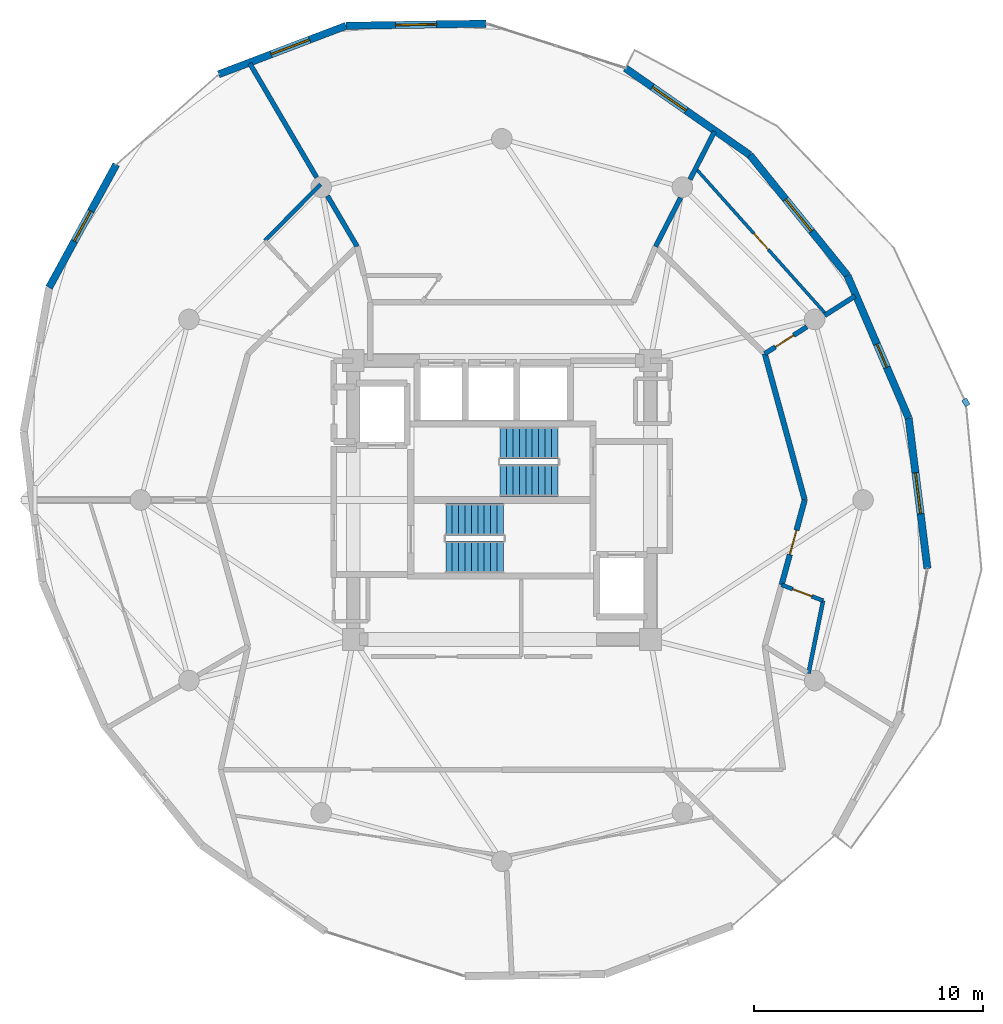
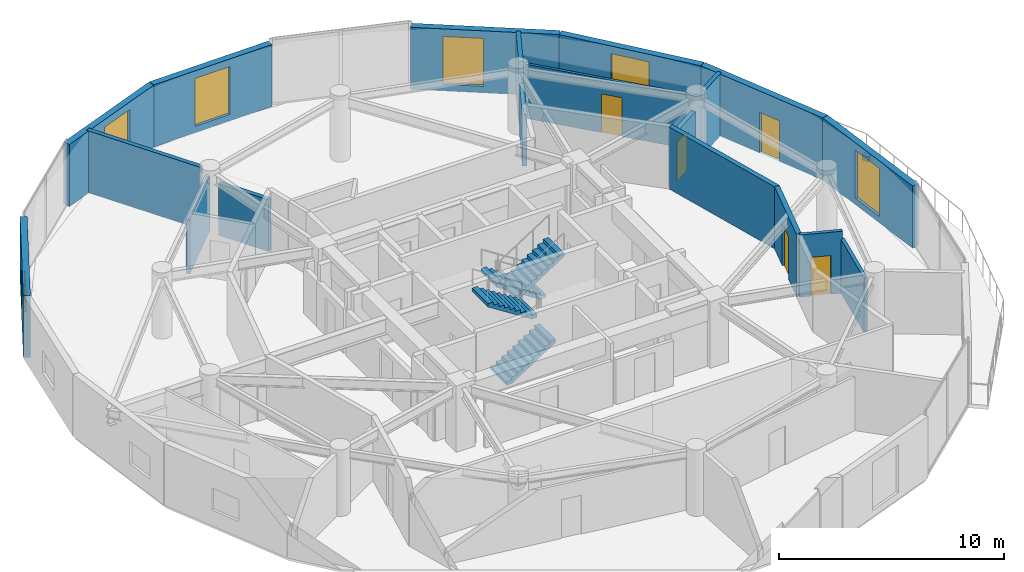
# One storey, part 15 of 18: 19 walls, 6 windows, 5 doors, 4 stair flights, 1 discrete accessory, 11 openings, 2 elements without a shape of their own.
"""IFC4 building model written with IfcOpenShell, lengths in metres."""

from ifc_helpers import new_model, si_unit, direction, frame, frame_2d, origin, origin_2d, place, context, subcontext, project, spatial, polyline, rectangle, outline, extrude, material, layer, layer_set, type_object, element, fill, aggregate, save


model = new_model("IFC4")

# Units and contexts
model_context = context("Model", 3, precision=1e-05, world=origin(), true_north=direction((0.0, 1.0)))
body_context = subcontext(model_context, "Body", "Model", "MODEL_VIEW")
ifc_project = project(units=[si_unit("LENGTHUNIT", "METRE"), si_unit("AREAUNIT", "SQUARE_METRE"), si_unit("VOLUMEUNIT", "CUBIC_METRE"), si_unit("PLANEANGLEUNIT", "RADIAN"), si_unit("MASSUNIT", "GRAM", prefix="KILO")], contexts=[model_context])

# Site, building, storey
site_placement = place(None, origin())
site = spatial("IfcSite", under=ifc_project, at=site_placement, CompositionType="ELEMENT")
building_placement = place(site_placement, origin())
building = spatial("IfcBuilding", under=site, at=building_placement, Name="Solvirekh Grand Hotel", CompositionType="ELEMENT")
storey_placement = place(building_placement, frame((0.0, 0.0, 187.60009765625)))
storey = spatial("IfcBuildingStorey", under=building, at=storey_placement, Name="L48", CompositionType="ELEMENT", Elevation=187.60009765625)

# Wall, opening, window
ifc_material_1 = material(Name="Precast concrete C45/55", Category="concrete")
ifc_layer_1 = layer(ifc_material_1, 0.320068359375)
ifc_layer_set_1 = layer_set([ifc_layer_1], Name="Precast concrete C45/55")
wall_type_1 = type_object("IfcWallType", Name="ExtLobbyWall_RC320", PredefinedType="SOLIDWALL", material=ifc_layer_set_1)
wall_1_placement = place(storey_placement, frame((17.79296875, 3.5849609375, 0.0), z_axis=(0.0, 0.0, 1.0), x_axis=(0.12416151274, -0.992262021219, 0.0)))
wall_1 = element("IfcWall", 1, at=wall_1_placement, inside=storey, type_object=wall_type_1, Name="L48 exterior structural wall chord 4", PredefinedType="SOLIDWALL", context=body_context, shape_type="SweptSolid", body=[
    extrude(rectangle(XDim=6.63623046875, YDim=0.320068359375, at=frame_2d((3.318115234375, 0.0))), origin(), (0.0, 0.0, 1.0), 3.35986328125),
])
opening_1_placement = place(wall_1_placement, frame((2.41796875, 0.0, 0.35009765625)))
opening_1 = element("IfcOpeningElement", 2, at=opening_1_placement, cuts=wall_1, Name="Opening W02", PredefinedType="OPENING", context=body_context, shape_type="SweptSolid", body=[
    extrude(rectangle(XDim=1.800048828125, YDim=2.60009765625, at=frame_2d((0.89990234375, 1.300048828125))), frame((0.0, 0.169921875, 0.0), z_axis=(0.0, -1.0, 0.0), x_axis=(1.0, 0.0, 0.0)), (0.0, 0.0, 1.0), 0.340087890625),
])
ifc_material_2 = material(Name="Low-E Tinted Bronze Laminated Glass", Category="aluminium")
window_type_1 = type_object("IfcWindowType", Name="Win_LobbyExt_1800X2600", PartitioningType="SINGLE_PANEL", PredefinedType="WINDOW", material=ifc_material_2)
window_1_placement = place(opening_1_placement, origin())
window_1 = element("IfcWindow", 3, at=window_1_placement, inside=storey, type_object=window_type_1, Name="L48 panoramic bronze-framed window 4", OverallHeight=2.60009765625, OverallWidth=1.800048828125, PartitioningType="SINGLE_PANEL", PredefinedType="WINDOW", context=body_context, shape_type="SweptSolid", body=[
    extrude(rectangle(XDim=1.800048828125, YDim=2.60009765625, at=frame_2d((0.89990234375, 1.300048828125))), frame((0.0, 0.030029296875, 0.0), z_axis=(0.0, -1.0, 0.0), x_axis=(1.0, 0.0, 0.0)), (0.0, 0.0, 1.0), 0.06005859375),
])
fill(opening_1, window_1)

# Wall, opening, door
wall_2_placement = place(storey_placement, frame((15.115966796875, 9.820068359375, 0.0), z_axis=(0.0, 0.0, 1.0), x_axis=(0.394518464568, -0.91888801337, 0.0)))
wall_2 = element("IfcWall", 4, at=wall_2_placement, inside=storey, type_object=wall_type_1, Name="L48 exterior structural wall chord 5", PredefinedType="SOLIDWALL", context=body_context, shape_type="SweptSolid", body=[
    extrude(rectangle(XDim=6.785400390625, YDim=0.320068359375, at=frame_2d((3.392578125, 0.0))), origin(), (0.0, 0.0, 1.0), 3.35986328125),
])
opening_2_placement = place(wall_2_placement, frame((3.27197265625, 0.0, 0.0)))
opening_2 = element("IfcOpeningElement", 5, at=opening_2_placement, cuts=wall_2, Name="Opening D03", PredefinedType="OPENING", context=body_context, shape_type="SweptSolid", body=[
    extrude(rectangle(XDim=1.10009765625, YDim=2.199951171875, at=frame_2d((0.550048828125, 1.10009765625))), frame((0.0, 0.169921875, 0.0), z_axis=(0.0, -1.0, 0.0), x_axis=(1.0, 0.0, 0.0)), (0.0, 0.0, 1.0), 0.340087890625),
])
ifc_material_3 = material(Name="Anodized Bronze Aluminium 6063-T6", Category="aluminium")
door_type_1 = type_object("IfcDoorType", Name="Door_ExtBalcony_1100X2200", OperationType="NOTDEFINED", PredefinedType="DOOR", material=ifc_material_3)
door_1_placement = place(opening_2_placement, origin())
door_1 = element("IfcDoor", 6, at=door_1_placement, inside=storey, type_object=door_type_1, Name="L48 Crescent balcony glazed door (5)", OperationType="SINGLE_SWING_RIGHT", OverallHeight=2.199951171875, OverallWidth=1.10009765625, PredefinedType="DOOR", context=body_context, shape_type="SweptSolid", body=[
    extrude(rectangle(XDim=1.10009765625, YDim=2.199951171875, at=frame_2d((0.550048828125, 1.10009765625))), frame((0.0, 0.02490234375, 0.0), z_axis=(0.0, -1.0, 0.0), x_axis=(1.0, 0.0, 0.0)), (0.0, 0.0, 1.0), 0.050048828125),
])
fill(opening_2, door_1)

# Wall, opening, window
wall_3_placement = place(storey_placement, frame((10.845947265625, 15.093017578125, 0.0), z_axis=(0.0, 0.0, 1.0), x_axis=(0.629326572603, -0.777140955693, 0.0)))
wall_3 = element("IfcWall", 7, at=wall_3_placement, inside=storey, type_object=wall_type_1, Name="L48 exterior structural wall chord 6", PredefinedType="SOLIDWALL", context=body_context, shape_type="SweptSolid", body=[
    extrude(rectangle(XDim=6.78515625, YDim=0.320068359375, at=frame_2d((3.392578125, 0.0))), origin(), (0.0, 0.0, 1.0), 3.35986328125),
])
opening_3_placement = place(wall_3_placement, frame((2.492919921875, 0.0, 0.35009765625)))
opening_3 = element("IfcOpeningElement", 8, at=opening_3_placement, cuts=wall_3, Name="Opening W02", PredefinedType="OPENING", context=body_context, shape_type="SweptSolid", body=[
    extrude(rectangle(XDim=1.800048828125, YDim=2.60009765625, at=frame_2d((0.89990234375, 1.300048828125))), frame((0.0, 0.169921875, 0.0), z_axis=(0.0, -1.0, 0.0), x_axis=(1.0, 0.0, 0.0)), (0.0, 0.0, 1.0), 0.340087890625),
])
window_2_placement = place(opening_3_placement, origin())
window_2 = element("IfcWindow", 9, at=window_2_placement, inside=storey, type_object=window_type_1, Name="L48 panoramic bronze-framed window 6", OverallHeight=2.60009765625, OverallWidth=1.800048828125, PartitioningType="SINGLE_PANEL", PredefinedType="WINDOW", context=body_context, shape_type="SweptSolid", body=[
    extrude(rectangle(XDim=1.800048828125, YDim=2.60009765625, at=frame_2d((0.89990234375, 1.300048828125))), frame((0.0, 0.030029296875, 0.0), z_axis=(0.0, -1.0, 0.0), x_axis=(1.0, 0.0, 0.0)), (0.0, 0.0, 1.0), 0.06005859375),
])
fill(opening_3, window_2)

wall_4_placement = place(storey_placement, frame((5.402099609375, 18.888916015625, 0.0), z_axis=(0.0, 0.0, 1.0), x_axis=(0.820277874486, -0.571965216275, 0.0)))
wall_4 = element("IfcWall", 10, at=wall_4_placement, inside=storey, type_object=wall_type_1, Name="L48 exterior structural wall chord 7", PredefinedType="SOLIDWALL", context=body_context, shape_type="SweptSolid", body=[
    extrude(rectangle(XDim=6.636474609375, YDim=0.320068359375, at=frame_2d((3.318359375, 0.0))), origin(), (0.0, 0.0, 1.0), 3.35986328125),
])
opening_4_placement = place(wall_4_placement, frame((1.444091796875, 0.0, 0.35009765625)))
opening_4 = element("IfcOpeningElement", 11, at=opening_4_placement, cuts=wall_4, Name="Opening W02", PredefinedType="OPENING", context=body_context, shape_type="SweptSolid", body=[
    extrude(rectangle(XDim=1.800048828125, YDim=2.60009765625, at=frame_2d((0.89990234375, 1.300048828125))), frame((0.0, 0.169921875, 0.0), z_axis=(0.0, -1.0, 0.0), x_axis=(1.0, 0.0, 0.0)), (0.0, 0.0, 1.0), 0.340087890625),
])
window_3_placement = place(opening_4_placement, origin())
window_3 = element("IfcWindow", 12, at=window_3_placement, inside=storey, type_object=window_type_1, Name="L48 panoramic bronze-framed window 7", OverallHeight=2.60009765625, OverallWidth=1.800048828125, PartitioningType="SINGLE_PANEL", PredefinedType="WINDOW", context=body_context, shape_type="SweptSolid", body=[
    extrude(rectangle(XDim=1.800048828125, YDim=2.60009765625, at=frame_2d((0.89990234375, 1.300048828125))), frame((0.0, 0.030029296875, 0.0), z_axis=(0.0, -1.0, 0.0), x_axis=(1.0, 0.0, 0.0)), (0.0, 0.0, 1.0), 0.06005859375),
])
fill(opening_4, window_3)

wall_5_placement = place(storey_placement, frame((-6.81494140625, 20.742919921875, 0.0), z_axis=(0.0, 0.0, 1.0), x_axis=(0.99988492463, 0.015170283382, 0.0)))
wall_5 = element("IfcWall", 13, at=wall_5_placement, inside=storey, type_object=wall_type_1, Name="L48 exterior structural wall chord 9", PredefinedType="SOLIDWALL", context=body_context, shape_type="SweptSolid", body=[
    extrude(rectangle(XDim=6.131591796875, YDim=0.320068359375, at=frame_2d((3.06591796875, 0.0))), origin(), (0.0, 0.0, 1.0), 3.35986328125),
])
opening_5_placement = place(wall_5_placement, frame((2.166015625, 0.0, 0.35009765625)))
opening_5 = element("IfcOpeningElement", 14, at=opening_5_placement, cuts=wall_5, Name="Opening W02", PredefinedType="OPENING", context=body_context, shape_type="SweptSolid", body=[
    extrude(rectangle(XDim=1.800048828125, YDim=2.60009765625, at=frame_2d((0.89990234375, 1.300048828125))), frame((0.0, 0.169921875, 0.0), z_axis=(0.0, -1.0, 0.0), x_axis=(1.0, 0.0, 0.0)), (0.0, 0.0, 1.0), 0.340087890625),
])
window_4_placement = place(opening_5_placement, origin())
window_4 = element("IfcWindow", 15, at=window_4_placement, inside=storey, type_object=window_type_1, Name="L48 panoramic bronze-framed window 9", OverallHeight=2.60009765625, OverallWidth=1.800048828125, PartitioningType="SINGLE_PANEL", PredefinedType="WINDOW", context=body_context, shape_type="SweptSolid", body=[
    extrude(rectangle(XDim=1.800048828125, YDim=2.60009765625, at=frame_2d((0.89990234375, 1.300048828125))), frame((0.0, 0.030029296875, 0.0), z_axis=(0.0, -1.0, 0.0), x_axis=(1.0, 0.0, 0.0)), (0.0, 0.0, 1.0), 0.06005859375),
])
fill(opening_5, window_4)

wall_6_placement = place(storey_placement, frame((-12.39111328125, 18.6201171875, 0.0), z_axis=(0.0, 0.0, 1.0), x_axis=(0.934568736607, 0.355782625429, 0.0)))
wall_6 = element("IfcWall", 16, at=wall_6_placement, inside=storey, type_object=wall_type_1, Name="L48 exterior structural wall chord 10", PredefinedType="SOLIDWALL", context=body_context, shape_type="SweptSolid", body=[
    extrude(rectangle(XDim=5.966552734375, YDim=0.320068359375, at=frame_2d((2.9833984375, 0.0))), origin(), (0.0, 0.0, 1.0), 3.35986328125),
])
opening_6_placement = place(wall_6_placement, frame((2.4599609375, 0.0, 0.35009765625)))
opening_6 = element("IfcOpeningElement", 17, at=opening_6_placement, cuts=wall_6, Name="Opening W02", PredefinedType="OPENING", context=body_context, shape_type="SweptSolid", body=[
    extrude(rectangle(XDim=1.800048828125, YDim=2.60009765625, at=frame_2d((0.89990234375, 1.300048828125))), frame((0.0, 0.169921875, 0.0), z_axis=(0.0, -1.0, 0.0), x_axis=(1.0, 0.0, 0.0)), (0.0, 0.0, 1.0), 0.340087890625),
])
window_5_placement = place(opening_6_placement, origin())
window_5 = element("IfcWindow", 18, at=window_5_placement, inside=storey, type_object=window_type_1, Name="L48 panoramic bronze-framed window 10", OverallHeight=2.60009765625, OverallWidth=1.800048828125, PartitioningType="SINGLE_PANEL", PredefinedType="WINDOW", context=body_context, shape_type="SweptSolid", body=[
    extrude(rectangle(XDim=1.800048828125, YDim=2.60009765625, at=frame_2d((0.89990234375, 1.300048828125))), frame((0.0, 0.030029296875, 0.0), z_axis=(0.0, -1.0, 0.0), x_axis=(1.0, 0.0, 0.0)), (0.0, 0.0, 1.0), 0.06005859375),
])
fill(opening_6, window_5)

wall_7_placement = place(storey_placement, frame((-19.804931640625, 9.2919921875, 0.0), z_axis=(0.0, 0.0, 1.0), x_axis=(0.479142226632, 0.877737276557, 0.0)))
wall_7 = element("IfcWall", 19, at=wall_7_placement, inside=storey, type_object=wall_type_1, Name="L48 cantilevered deck support wall chord 12", PredefinedType="SOLIDWALL", context=body_context, shape_type="SweptSolid", body=[
    extrude(rectangle(XDim=6.1318359375, YDim=0.320068359375, at=frame_2d((3.06591796875, 0.0))), origin(), (0.0, 0.0, 1.0), 3.35986328125),
])
opening_7_placement = place(wall_7_placement, frame((2.31591796875, 0.0, 0.85009765625)))
opening_7 = element("IfcOpeningElement", 20, at=opening_7_placement, cuts=wall_7, Name="Opening W05", PredefinedType="OPENING", context=body_context, shape_type="SweptSolid", body=[
    extrude(rectangle(XDim=1.5, YDim=1.199951171875, at=frame_2d((0.75, 0.60009765625))), frame((0.0, 0.169921875, 0.0), z_axis=(0.0, -1.0, 0.0), x_axis=(1.0, 0.0, 0.0)), (0.0, 0.0, 1.0), 0.340087890625),
])
window_type_2 = type_object("IfcWindowType", Name="Win_PlantVent_1500X1200", PartitioningType="SINGLE_PANEL", PredefinedType="WINDOW", material=ifc_material_2)
window_6_placement = place(opening_7_placement, origin())
window_6 = element("IfcWindow", 21, at=window_6_placement, inside=storey, type_object=window_type_2, Name="L48 bronze-framed vision ribbon window 12", OverallHeight=1.199951171875, OverallWidth=1.5, PartitioningType="SINGLE_PANEL", PredefinedType="WINDOW", context=body_context, shape_type="SweptSolid", body=[
    extrude(rectangle(XDim=1.5, YDim=1.199951171875, at=frame_2d((0.75, 0.60009765625))), frame((0.0, 0.030029296875, 0.0), z_axis=(0.0, -1.0, 0.0), x_axis=(1.0, 0.0, 0.0)), (0.0, 0.0, 1.0), 0.06005859375),
])
fill(opening_7, window_6)

# Wall
ifc_material_4 = material(Name="Acoustic Gypsum Partition Assembly")
ifc_layer_2 = layer(ifc_material_4, 0.239990234375)
ifc_layer_set_2 = layer_set([ifc_layer_2], Name="Acoustic Gypsum Partition Assembly")
wall_type_2 = type_object("IfcWallType", Name="Part_Corridor_240", PredefinedType="PARTITIONING", material=ifc_layer_set_2)
wall_8_placement = place(storey_placement, frame((13.25, 0.0, 0.0), z_axis=(0.0, 0.0, 1.0), x_axis=(-0.263484816116, 0.96466354325, 0.0)))
element("IfcWall", 22, at=wall_8_placement, inside=storey, type_object=wall_type_2, Name="L48 Diplomatic Suite 5003 Living Room corridor wall 1", PredefinedType="PARTITIONING", context=body_context, shape_type="SweptSolid", body=[
    extrude(rectangle(XDim=6.63427734375, YDim=0.239990234375, at=frame_2d((3.317138671875, 0.0))), origin(), (0.0, 0.0, 1.0), 3.35986328125),
])

# Wall, opening, door
wall_9_placement = place(storey_placement, frame((12.236083984375, -3.7119140625, 0.0), z_axis=(0.0, 0.0, 1.0), x_axis=(0.263498559894, 0.964659789218, 0.0)))
wall_9 = element("IfcWall", 23, at=wall_9_placement, inside=storey, type_object=wall_type_2, Name="L48 Diplomatic Suite 5003 Living Room entrance wall", PredefinedType="PARTITIONING", context=body_context, shape_type="SweptSolid", body=[
    extrude(rectangle(XDim=3.847900390625, YDim=0.239990234375, at=frame_2d((1.923828125, 0.0))), origin(), (0.0, 0.0, 1.0), 3.35986328125),
])
opening_8_placement = place(wall_9_placement, frame((1.3740234375, 0.0, 0.0)))
opening_8 = element("IfcOpeningElement", 24, at=opening_8_placement, cuts=wall_9, Name="Opening D08", PredefinedType="OPENING", context=body_context, shape_type="SweptSolid", body=[
    extrude(rectangle(XDim=1.10009765625, YDim=2.300048828125, at=frame_2d((0.550048828125, 1.14990234375))), frame((0.0, 0.1298828125, 0.0), z_axis=(0.0, -1.0, 0.0), x_axis=(1.0, 0.0, 0.0)), (0.0, 0.0, 1.0), 0.260009765625),
])
ifc_material_5 = material(Name="Fire-Rated Steel Door Assembly", Category="steel")
door_type_2 = type_object("IfcDoorType", Name="Door_SuiteEntry_1100X2300", OperationType="NOTDEFINED", PredefinedType="DOOR", material=ifc_material_5)
door_2_placement = place(opening_8_placement, origin())
door_2 = element("IfcDoor", 25, at=door_2_placement, inside=storey, type_object=door_type_2, Name="L48 Diplomatic Suite 5003 Living Room entrance door", OperationType="SINGLE_SWING_RIGHT", OverallHeight=2.300048828125, OverallWidth=1.10009765625, PredefinedType="DOOR", context=body_context, shape_type="SweptSolid", body=[
    extrude(rectangle(XDim=1.10009765625, YDim=2.300048828125, at=frame_2d((0.550048828125, 1.14990234375))), frame((0.0, 0.02490234375, 0.0), z_axis=(0.0, -1.0, 0.0), x_axis=(1.0, 0.0, 0.0)), (0.0, 0.0, 1.0), 0.050048828125),
])
fill(opening_8, door_2)

ifc_layer_3 = layer(ifc_material_4, 0.135009765625)
ifc_layer_set_3 = layer_set([ifc_layer_3], Name="Acoustic Gypsum Partition Assembly")
wall_type_3 = type_object("IfcWallType", Name="Part_RoomInt_135", PredefinedType="PARTITIONING", material=ifc_layer_set_3)
wall_10_placement = place(storey_placement, frame((14.19091796875, 8.115966796875, 0.0), z_axis=(0.0, 0.0, 1.0), x_axis=(-0.666313460935, 0.745671758736, 0.0)))
wall_10 = element("IfcWall", 26, at=wall_10_placement, inside=storey, type_object=wall_type_3, Name="L48 Diplomatic Suite 5003 Suite Foyer bedroom screen wall", PredefinedType="PARTITIONING", context=body_context, shape_type="SweptSolid", body=[
    extrude(rectangle(XDim=8.571044921875, YDim=0.135009765625, at=frame_2d((4.28564453125, 0.0))), origin(), (0.0, 0.0, 1.0), 2.928955078125),
])
opening_9_placement = place(wall_10_placement, frame((3.81005859375, 0.0, 0.0)))
opening_9 = element("IfcOpeningElement", 27, at=opening_9_placement, cuts=wall_10, Name="Opening D10", PredefinedType="OPENING", context=body_context, shape_type="SweptSolid", body=[
    extrude(rectangle(XDim=0.949951171875, YDim=2.10009765625, at=frame_2d((0.47509765625, 1.050048828125))), frame((0.0, 0.07763671875, 0.0), z_axis=(0.0, -1.0, 0.0), x_axis=(1.0, 0.0, 0.0)), (0.0, 0.0, 1.0), 0.155029296875),
])
door_type_3 = type_object("IfcDoorType", Name="Door_RoomInt_950X2100", OperationType="NOTDEFINED", PredefinedType="DOOR", material=ifc_material_3)
door_3_placement = place(opening_9_placement, origin())
door_3 = element("IfcDoor", 28, at=door_3_placement, inside=storey, type_object=door_type_3, Name="L48 Diplomatic Suite 5003 Suite Foyer master bedroom door", OperationType="SINGLE_SWING_RIGHT", OverallHeight=2.10009765625, OverallWidth=0.949951171875, PredefinedType="DOOR", context=body_context, shape_type="SweptSolid", body=[
    extrude(rectangle(XDim=0.949951171875, YDim=2.10009765625, at=frame_2d((0.47509765625, 1.050048828125))), frame((0.0, 0.02490234375, 0.0), z_axis=(0.0, -1.0, 0.0), x_axis=(1.0, 0.0, 0.0)), (0.0, 0.0, 1.0), 0.050048828125),
])
fill(opening_9, door_3)

ifc_layer_4 = layer(ifc_material_4, 0.2099609375)
ifc_layer_set_4 = layer_set([ifc_layer_4], Name="Acoustic Gypsum Partition Assembly")
wall_type_4 = type_object("IfcWallType", Name="Part_SuiteDemise_210", PredefinedType="PARTITIONING", material=ifc_layer_set_4)
wall_11_placement = place(storey_placement, frame((11.501953125, 6.39990234375, 0.0), z_axis=(0.0, 0.0, 1.0), x_axis=(0.842942702802, 0.538003345522, 0.0)))
wall_11 = element("IfcWall", 29, at=wall_11_placement, inside=storey, type_object=wall_type_4, Name="L48 suite radial wall 2 (A)", PredefinedType="PARTITIONING", context=body_context, shape_type="SweptSolid", body=[
    extrude(rectangle(XDim=2.18408203125, YDim=0.2099609375, at=frame_2d((1.092041015625, 0.0))), origin(), (0.0, 0.0, 1.0), 2.80078125),
])
opening_10_placement = place(wall_11_placement, frame((0.550048828125, 0.0, 0.0)))
opening_10 = element("IfcOpeningElement", 30, at=opening_10_placement, cuts=wall_11, Name="Opening D10", PredefinedType="OPENING", context=body_context, shape_type="SweptSolid", body=[
    extrude(rectangle(XDim=0.949951171875, YDim=2.10009765625, at=frame_2d((0.47509765625, 1.050048828125))), frame((0.0, 0.114990234375, 0.0), z_axis=(0.0, -1.0, 0.0), x_axis=(1.0, 0.0, 0.0)), (0.0, 0.0, 1.0), 0.22998046875),
])
door_4_placement = place(opening_10_placement, origin())
door_4 = element("IfcDoor", 31, at=door_4_placement, inside=storey, type_object=door_type_3, Name="L48 Diplomatic Suite 5003 Suite Foyer suite connecting door", OperationType="SINGLE_SWING_LEFT", OverallHeight=2.10009765625, OverallWidth=0.949951171875, PredefinedType="DOOR", context=body_context, shape_type="SweptSolid", body=[
    extrude(rectangle(XDim=0.949951171875, YDim=2.10009765625, at=frame_2d((0.47509765625, 1.050048828125))), frame((0.0, 0.02490234375, 0.0), z_axis=(0.0, -1.0, 0.0), x_axis=(1.0, 0.0, 0.0)), (0.0, 0.0, 1.0), 0.050048828125),
])
fill(opening_10, door_4)

# Walls
wall_12_placement = place(storey_placement, frame((14.12109375, 8.071044921875, 0.0), z_axis=(0.0, 0.0, 1.0), x_axis=(0.842835995137, 0.538170498357, 0.0)))
element("IfcWall", 32, at=wall_12_placement, inside=storey, type_object=wall_type_4, Name="L48 suite radial wall 2 (B)", PredefinedType="PARTITIONING", context=body_context, shape_type="SweptSolid", body=[
    extrude(rectangle(XDim=1.5849609375, YDim=0.2099609375, at=frame_2d((0.79248046875, 0.0))), origin(), (0.0, 0.0, 1.0), 3.35986328125),
])
wall_13_placement = place(storey_placement, frame((6.72509765625, 11.0849609375, 0.0), z_axis=(0.0, 0.0, 1.0), x_axis=(0.456347633058, 0.889801572151, 0.0)))
element("IfcWall", 33, at=wall_13_placement, inside=storey, type_object=wall_type_4, Name="L48 suite radial wall 3 (A)", PredefinedType="PARTITIONING", context=body_context, shape_type="SweptSolid", body=[
    extrude(rectangle(XDim=2.3994140625, YDim=0.2099609375, at=frame_2d((1.19970703125, 0.0))), origin(), (0.0, 0.0, 1.0), 2.80078125),
])
wall_14_placement = place(storey_placement, frame((8.22900390625, 14.01806640625, 0.0), z_axis=(0.0, 0.0, 1.0), x_axis=(0.456335550331, 0.889807768849, 0.0)))
element("IfcWall", 34, at=wall_14_placement, inside=storey, type_object=wall_type_4, Name="L48 suite radial wall 3 (B)", PredefinedType="PARTITIONING", context=body_context, shape_type="SweptSolid", body=[
    extrude(rectangle(XDim=2.35986328125, YDim=0.2099609375, at=frame_2d((1.179931640625, 0.0))), origin(), (0.0, 0.0, 1.0), 3.35986328125),
])
wall_15_placement = place(storey_placement, frame((-6.324951171875, 11.0849609375, 0.0), z_axis=(0.0, 0.0, 1.0), x_axis=(-0.506285052897, 0.862366189744, 0.0)))
element("IfcWall", 35, at=wall_15_placement, inside=storey, type_object=wall_type_4, Name="L48 suite radial wall 5 (A)", PredefinedType="PARTITIONING", context=body_context, shape_type="SweptSolid", body=[
    extrude(rectangle(XDim=2.56982421875, YDim=0.2099609375, at=frame_2d((1.284912109375, 0.0))), origin(), (0.0, 0.0, 1.0), 2.80078125),
])
wall_16_placement = place(storey_placement, frame((-8.09912109375, 14.10888671875, 0.0), z_axis=(0.0, 0.0, 1.0), x_axis=(-0.506071559284, 0.862491493804, 0.0)))
element("IfcWall", 36, at=wall_16_placement, inside=storey, type_object=wall_type_4, Name="L48 suite radial wall 5 (B)", PredefinedType="PARTITIONING", context=body_context, shape_type="SweptSolid", body=[
    extrude(rectangle(XDim=5.783203125, YDim=0.2099609375, at=frame_2d((2.8916015625, 0.0))), origin(), (0.0, 0.0, 1.0), 3.35986328125),
])
ifc_layer_5 = layer(ifc_material_4, 0.175048828125)
ifc_layer_set_5 = layer_set([ifc_layer_5], Name="Acoustic Gypsum Partition Assembly")
wall_type_5 = type_object("IfcWallType", Name="Plumb_Ensuite_175", PredefinedType="PLUMBINGWALL", material=ifc_layer_set_5)
wall_17_placement = place(storey_placement, frame((-7.923095703125, 13.80908203125, 0.0), z_axis=(0.0, 0.0, 1.0), x_axis=(-0.703762044394, -0.710435771108, 0.0)))
element("IfcWall", 37, at=wall_17_placement, inside=storey, type_object=wall_type_5, Name="L48 En-suite Bathroom 5002 outer plumbing wall", PredefinedType="PLUMBINGWALL", context=body_context, shape_type="SweptSolid", body=[
    extrude(rectangle(XDim=3.475341796875, YDim=0.175048828125, at=frame_2d((1.73779296875, 0.0))), origin(), (0.0, 0.0, 1.0), 2.928955078125),
])
wall_18_placement = place(storey_placement, frame((13.416015625, -7.5869140625, 0.0), z_axis=(0.0, 0.0, 1.0), x_axis=(0.19604388327, 0.980595123296, 0.0)))
element("IfcWall", 38, at=wall_18_placement, inside=storey, type_object=wall_type_5, Name="L48 En-suite Bathroom 5003 outer plumbing wall", PredefinedType="PLUMBINGWALL", context=body_context, shape_type="SweptSolid", body=[
    extrude(rectangle(XDim=3.2490234375, YDim=0.175048828125, at=frame_2d((1.62451171875, 0.0))), origin(), (0.0, 0.0, 1.0), 2.928955078125),
])

# Wall, opening, door
wall_19_placement = place(storey_placement, frame((12.236083984375, -3.7119140625, 0.0), z_axis=(0.0, 0.0, 1.0), x_axis=(0.935032001773, -0.35456333096, 0.0)))
wall_19 = element("IfcWall", 39, at=wall_19_placement, inside=storey, type_object=wall_type_5, Name="L48 En-suite Bathroom 5003 entry plumbing wall", PredefinedType="PLUMBINGWALL", context=body_context, shape_type="SweptSolid", body=[
    extrude(rectangle(XDim=1.943115234375, YDim=0.175048828125, at=frame_2d((0.9716796875, 0.0))), origin(), (0.0, 0.0, 1.0), 3.35986328125),
])
opening_11_placement = place(wall_19_placement, frame((0.52197265625, 0.0, 0.0)))
opening_11 = element("IfcOpeningElement", 40, at=opening_11_placement, cuts=wall_19, Name="Opening D09", PredefinedType="OPENING", context=body_context, shape_type="SweptSolid", body=[
    extrude(rectangle(XDim=0.89990234375, YDim=2.10009765625, at=frame_2d((0.449951171875, 1.050048828125))), frame((0.0, 0.09765625, 0.0), z_axis=(0.0, -1.0, 0.0), x_axis=(1.0, 0.0, 0.0)), (0.0, 0.0, 1.0), 0.195068359375),
])
door_type_4 = type_object("IfcDoorType", Name="Door_Ensuite_900X2100", OperationType="NOTDEFINED", PredefinedType="DOOR", material=ifc_material_3)
door_5_placement = place(opening_11_placement, origin())
door_5 = element("IfcDoor", 41, at=door_5_placement, inside=storey, type_object=door_type_4, Name="L48 En-suite Bathroom 5003 door", OperationType="SINGLE_SWING_LEFT", OverallHeight=2.10009765625, OverallWidth=0.89990234375, PredefinedType="DOOR", context=body_context, shape_type="SweptSolid", body=[
    extrude(rectangle(XDim=0.89990234375, YDim=2.10009765625, at=frame_2d((0.449951171875, 1.050048828125))), frame((0.0, 0.02490234375, 0.0), z_axis=(0.0, -1.0, 0.0), x_axis=(1.0, 0.0, 0.0)), (0.0, 0.0, 1.0), 0.050048828125),
])
fill(opening_11, door_5)

# Stair, stair flights
ifc_material_6 = material(Name="Concrete C40/50", Category="concrete")
stair_type = type_object("IfcStairType", Name="Stair_Core_1450", PredefinedType="HALF_TURN_STAIR", material=ifc_material_6)
stair_1_placement = place(storey_placement, origin())
stair_1 = element("IfcStair", 42, at=stair_1_placement, inside=storey, type_object=stair_type, Name="L48 Enclosed exit stair ST-1", PredefinedType="HALF_TURN_STAIR")
stair_flight_type = type_object("IfcStairFlightType", Name="Flight_Core_1450", PredefinedType="STRAIGHT", material=ifc_material_6)
stair_flight_1_placement = place(storey_placement, frame((-2.449951171875, -2.5, 0.0), z_axis=(0.0, 0.0, 1.0), x_axis=(1.0, 0.0, 0.0)))
stair_flight_1 = element("IfcStairFlight", 43, at=stair_flight_1_placement, type_object=stair_flight_type, Name="ST-1 flight 1", NumberOfRisers=10, NumberOfTreads=9, PredefinedType="STRAIGHT", RiserHeight=0.18, TreadLength=0.28, context=body_context, shape_type="SweptSolid", body=[
    extrude(outline(polyline([(0.0, 0.0), (0.0, 0.179931640625), (0.280029296875, 0.179931640625), (0.280029296875, 0.360107421875), (0.56005859375, 0.360107421875), (0.56005859375, 0.5400390625), (0.840087890625, 0.5400390625), (0.840087890625, 0.719970703125), (1.1201171875, 0.719970703125), (1.1201171875, 0.89990234375), (1.39990234375, 0.89990234375), (1.39990234375, 1.080078125), (1.679931640625, 1.080078125), (1.679931640625, 1.260009765625), (1.9599609375, 1.260009765625), (1.9599609375, 1.43994140625), (2.239990234375, 1.43994140625), (2.239990234375, 1.6201171875), (2.52001953125, 1.6201171875), (2.52001953125, 1.800048828125), (2.52001953125, 1.44189453125), (0.277099609375, 0.0), (0.0, 0.0)])), frame((0.0, 0.699951171875, 0.0), z_axis=(0.0, -1.0, 0.0), x_axis=(1.0, 0.0, 0.0)), (0.0, 0.0, 1.0), 1.39990234375),
])
stair_flight_2_placement = place(storey_placement, frame((0.070068359375, -0.85009765625, 1.7998046875), z_axis=(0.0, 0.0, 1.0), x_axis=(-1.0, 0.0, 0.0)))
stair_flight_2 = element("IfcStairFlight", 44, at=stair_flight_2_placement, type_object=stair_flight_type, Name="ST-1 flight 2", NumberOfRisers=10, NumberOfTreads=9, PredefinedType="STRAIGHT", RiserHeight=0.18, TreadLength=0.28, context=body_context, shape_type="SweptSolid", body=[
    extrude(outline(polyline([(0.0, 0.0), (0.0, 0.179931640625), (0.280029296875, 0.179931640625), (0.280029296875, 0.360107421875), (0.56005859375, 0.360107421875), (0.56005859375, 0.5400390625), (0.840087890625, 0.5400390625), (0.840087890625, 0.719970703125), (1.1201171875, 0.719970703125), (1.1201171875, 0.89990234375), (1.39990234375, 0.89990234375), (1.39990234375, 1.080078125), (1.679931640625, 1.080078125), (1.679931640625, 1.260009765625), (1.9599609375, 1.260009765625), (1.9599609375, 1.43994140625), (2.239990234375, 1.43994140625), (2.239990234375, 1.6201171875), (2.52001953125, 1.6201171875), (2.52001953125, 1.800048828125), (2.52001953125, 1.44189453125), (0.277099609375, 0.0), (0.0, 0.0)])), frame((0.0, 0.699951171875, 0.0), z_axis=(0.0, -1.0, 0.0), x_axis=(1.0, 0.0, 0.0)), (0.0, 0.0, 1.0), 1.39990234375),
])
aggregate(stair_1, [stair_flight_1, stair_flight_2])

stair_2_placement = place(storey_placement, origin())
stair_2 = element("IfcStair", 45, at=stair_2_placement, inside=storey, type_object=stair_type, Name="L48 Enclosed exit stair ST-2", PredefinedType="HALF_TURN_STAIR")
stair_flight_3_placement = place(storey_placement, frame((2.449951171875, 2.5, 0.0), z_axis=(0.0, 0.0, 1.0), x_axis=(-1.0, 0.0, 0.0)))
stair_flight_3 = element("IfcStairFlight", 46, at=stair_flight_3_placement, type_object=stair_flight_type, Name="ST-2 flight 1", NumberOfRisers=10, NumberOfTreads=9, PredefinedType="STRAIGHT", RiserHeight=0.18, TreadLength=0.28, context=body_context, shape_type="SweptSolid", body=[
    extrude(outline(polyline([(0.0, 0.0), (0.0, 0.179931640625), (0.280029296875, 0.179931640625), (0.280029296875, 0.360107421875), (0.56005859375, 0.360107421875), (0.56005859375, 0.5400390625), (0.840087890625, 0.5400390625), (0.840087890625, 0.719970703125), (1.1201171875, 0.719970703125), (1.1201171875, 0.89990234375), (1.39990234375, 0.89990234375), (1.39990234375, 1.080078125), (1.679931640625, 1.080078125), (1.679931640625, 1.260009765625), (1.9599609375, 1.260009765625), (1.9599609375, 1.43994140625), (2.239990234375, 1.43994140625), (2.239990234375, 1.6201171875), (2.52001953125, 1.6201171875), (2.52001953125, 1.800048828125), (2.52001953125, 1.44189453125), (0.277099609375, 0.0), (0.0, 0.0)])), frame((0.0, 0.699951171875, 0.0), z_axis=(0.0, -1.0, 0.0), x_axis=(1.0, 0.0, 0.0)), (0.0, 0.0, 1.0), 1.39990234375),
])
stair_flight_4_placement = place(storey_placement, frame((-0.070068359375, 0.85009765625, 1.7998046875), z_axis=(0.0, 0.0, 1.0), x_axis=(1.0, 0.0, 0.0)))
stair_flight_4 = element("IfcStairFlight", 47, at=stair_flight_4_placement, type_object=stair_flight_type, Name="ST-2 flight 2", NumberOfRisers=10, NumberOfTreads=9, PredefinedType="STRAIGHT", RiserHeight=0.18, TreadLength=0.28, context=body_context, shape_type="SweptSolid", body=[
    extrude(outline(polyline([(0.0, 0.0), (0.0, 0.179931640625), (0.280029296875, 0.179931640625), (0.280029296875, 0.360107421875), (0.56005859375, 0.360107421875), (0.56005859375, 0.5400390625), (0.840087890625, 0.5400390625), (0.840087890625, 0.719970703125), (1.1201171875, 0.719970703125), (1.1201171875, 0.89990234375), (1.39990234375, 0.89990234375), (1.39990234375, 1.080078125), (1.679931640625, 1.080078125), (1.679931640625, 1.260009765625), (1.9599609375, 1.260009765625), (1.9599609375, 1.43994140625), (2.239990234375, 1.43994140625), (2.239990234375, 1.6201171875), (2.52001953125, 1.6201171875), (2.52001953125, 1.800048828125), (2.52001953125, 1.44189453125), (0.277099609375, 0.0), (0.0, 0.0)])), frame((0.0, 0.699951171875, 0.0), z_axis=(0.0, -1.0, 0.0), x_axis=(1.0, 0.0, 0.0)), (0.0, 0.0, 1.0), 1.39990234375),
])
aggregate(stair_2, [stair_flight_3, stair_flight_4])

# Discrete accessory
ifc_material_7 = material(Name="Steel S355", Category="steel")
discrete_accessory_type = type_object("IfcDiscreteAccessoryType", Name="Acc_ThermalBracket", PredefinedType="BRACKET", material=ifc_material_7)
discrete_accessory_placement = place(storey_placement, frame((20.301025390625, 4.27001953125, -0.2802734375), z_axis=(0.0, 0.0, 1.0), x_axis=(0.516533328867, -0.8562670846, 0.0)))
element("IfcDiscreteAccessory", 48, at=discrete_accessory_placement, inside=storey, type_object=discrete_accessory_type, Name="L48 balcony thermal-break bracket", PredefinedType="BRACKET", context=body_context, shape_type="SweptSolid", body=[
    extrude(rectangle(XDim=0.320068359375, YDim=0.239990234375, at=origin_2d()), origin(), (0.0, 0.0, 1.0), 0.280029296875),
])

save(model, "model.ifc")
